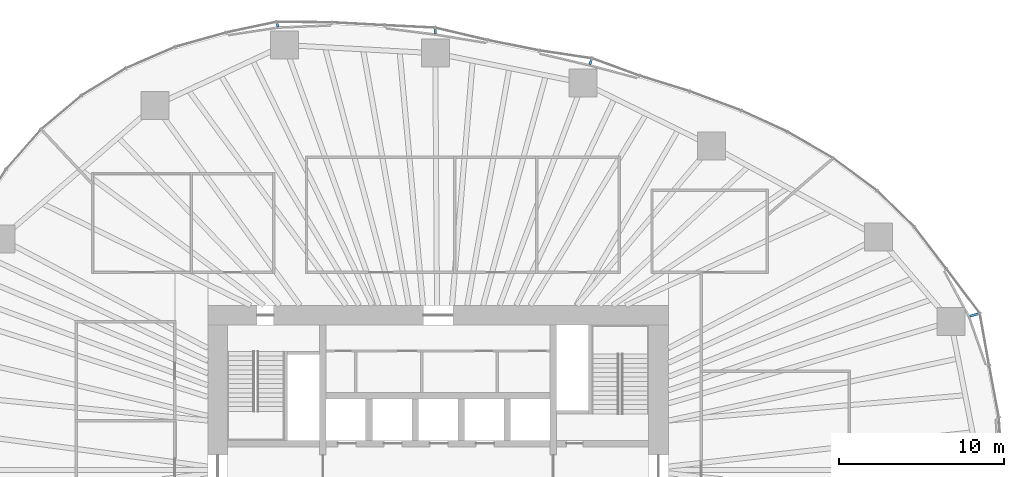
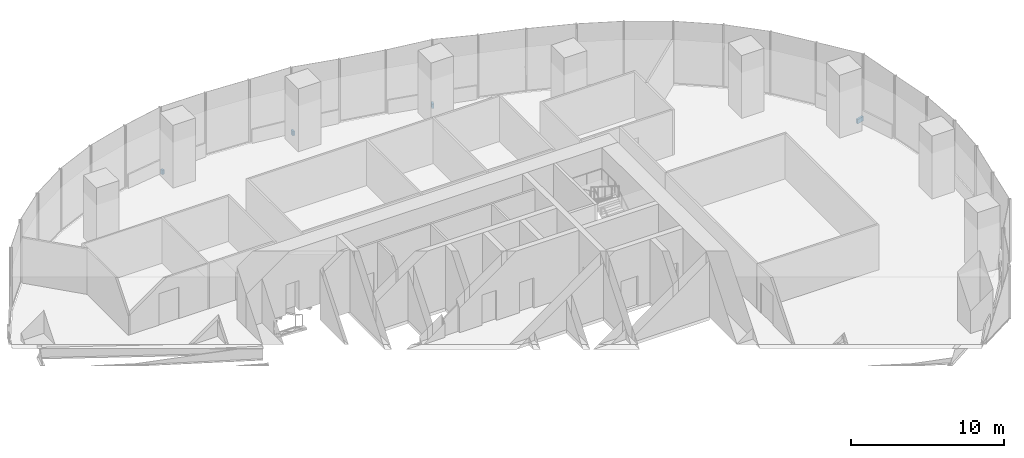
# One storey, part 15 of 20: 4 discrete accessories.
"""IFC4 building model written with IfcOpenShell, lengths in metres."""

from ifc_helpers import new_model, si_unit, direction, frame, origin, origin_2d, place, context, subcontext, project, spatial, rectangle, extrude, material, type_object, element, save


model = new_model("IFC4")

# Units and contexts
model_context = context("Model", 3, precision=1e-05, world=origin(), true_north=direction((0.0, 1.0)))
body_context = subcontext(model_context, "Body", "Model", "MODEL_VIEW")
ifc_project = project(units=[si_unit("LENGTHUNIT", "METRE"), si_unit("AREAUNIT", "SQUARE_METRE"), si_unit("VOLUMEUNIT", "CUBIC_METRE"), si_unit("PLANEANGLEUNIT", "RADIAN"), si_unit("MASSUNIT", "GRAM", prefix="KILO")], contexts=[model_context])

# Site, building, storey
site_placement = place(None, origin())
site = spatial("IfcSite", under=ifc_project, at=site_placement, CompositionType="ELEMENT")
building_placement = place(site_placement, origin())
building = spatial("IfcBuilding", under=site, at=building_placement, Name="Ghaith Harvest Tower", CompositionType="ELEMENT")
storey_placement = place(building_placement, frame((0.0, 0.0, 55.0)))
storey = spatial("IfcBuildingStorey", under=building, at=storey_placement, Name="L11", CompositionType="ELEMENT", Elevation=55.0)

# Discrete accessories
ifc_material_1 = material(Name="Stainless steel grade 1.4401", Category="steel")
discrete_accessory_type_1 = type_object("IfcDiscreteAccessoryType", Name="CURTAIN WALL BRACKET 205", PredefinedType="BRACKET", material=ifc_material_1)
discrete_accessory_1_placement = place(storey_placement, frame((-9.766845703125, 27.04150390625, -0.25), z_axis=(0.0, 0.0, 1.0), x_axis=(-0.339699453402, 0.94053404051, 0.0)))
element("IfcDiscreteAccessory", 1, at=discrete_accessory_1_placement, inside=storey, type_object=discrete_accessory_type_1, Name="CW-F bracket 1 bay 07 L11", PredefinedType="BRACKET", context=body_context, shape_type="SweptSolid", body=[
    extrude(rectangle(XDim=0.205078125, YDim=0.14990234375, at=origin_2d()), origin(), (0.0, 0.0, 1.0), 0.35009765625),
])
ifc_material_2 = material(Name="Stainless steel grade 1.4401", Category="steel")
discrete_accessory_type_2 = type_object("IfcDiscreteAccessoryType", Name="CURTAIN WALL BRACKET 255", PredefinedType="BRACKET", material=ifc_material_2)
discrete_accessory_2_placement = place(storey_placement, frame((-0.182373046875, 26.649658203125, -0.25), z_axis=(0.0, 0.0, 1.0), x_axis=(-0.006843747783, 0.999976581284, 0.0)))
element("IfcDiscreteAccessory", 2, at=discrete_accessory_2_placement, inside=storey, type_object=discrete_accessory_type_2, Name="CW-F bracket 1 bay 06 L11", PredefinedType="BRACKET", context=body_context, shape_type="SweptSolid", body=[
    extrude(rectangle(XDim=0.2548828125, YDim=0.14990234375, at=origin_2d()), origin(), (0.0, 0.0, 1.0), 0.35009765625),
])
ifc_material_3 = material(Name="Stainless steel grade 1.4401", Category="steel")
discrete_accessory_type_3 = type_object("IfcDiscreteAccessoryType", Name="CURTAIN WALL BRACKET 295", PredefinedType="BRACKET", material=ifc_material_3)
discrete_accessory_3_placement = place(storey_placement, frame((9.265380859375, 24.7841796875, -0.25), z_axis=(0.0, 0.0, 1.0), x_axis=(0.35016769709, 0.936687025593, 0.0)))
element("IfcDiscreteAccessory", 3, at=discrete_accessory_3_placement, inside=storey, type_object=discrete_accessory_type_3, Name="CW-F bracket 1 bay 05 L11", PredefinedType="BRACKET", context=body_context, shape_type="SweptSolid", body=[
    extrude(rectangle(XDim=0.294921875, YDim=0.14990234375, at=origin_2d()), origin(), (0.0, 0.0, 1.0), 0.35009765625),
])
ifc_material_4 = material(Name="Stainless steel grade 1.4401", Category="steel")
discrete_accessory_type_4 = type_object("IfcDiscreteAccessoryType", Name="CURTAIN WALL BRACKET 535", PredefinedType="BRACKET", material=ifc_material_4)
discrete_accessory_4_placement = place(storey_placement, frame((32.570556640625, 9.41357421875, -0.25), z_axis=(0.0, 0.0, 1.0), x_axis=(0.960680349985, 0.277656739792, 0.0)))
element("IfcDiscreteAccessory", 4, at=discrete_accessory_4_placement, inside=storey, type_object=discrete_accessory_type_4, Name="CW-F bracket 1 bay 02 L11", PredefinedType="BRACKET", context=body_context, shape_type="SweptSolid", body=[
    extrude(rectangle(XDim=0.534912109375, YDim=0.14990234375, at=origin_2d()), origin(), (0.0, 0.0, 1.0), 0.35009765625),
])

save(model, "model.ifc")
